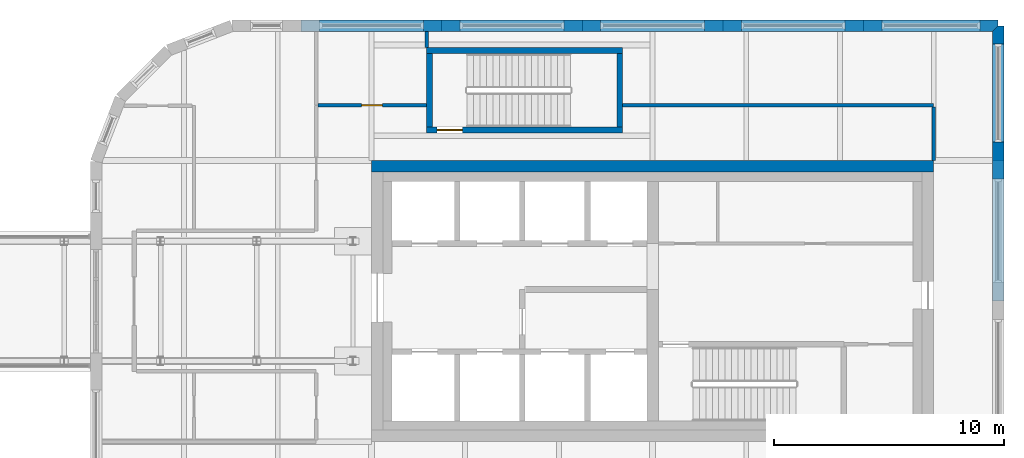
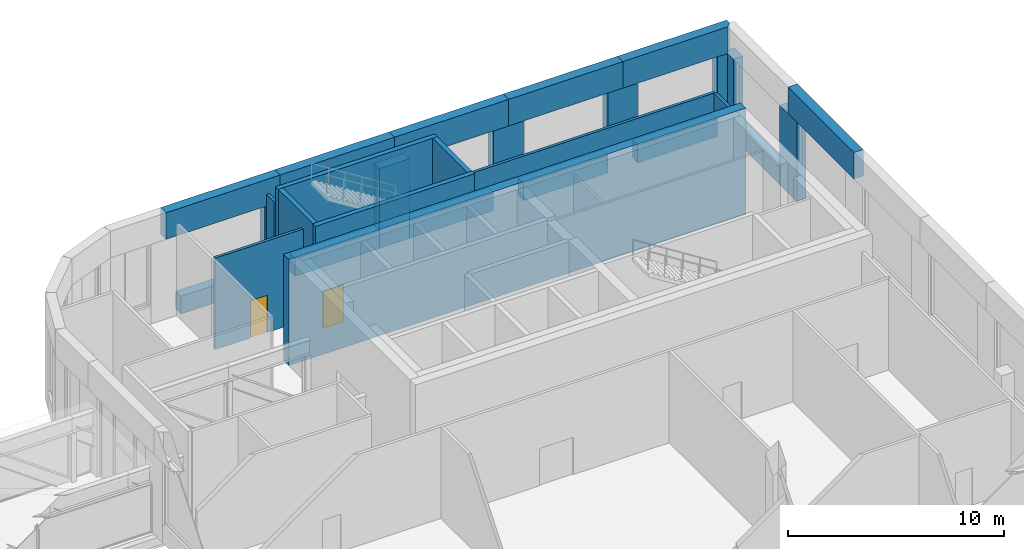
# One storey, part 30 of 36: 28 walls, 2 doors, 2 openings.
"""IFC4 building model written with IfcOpenShell, lengths in metres."""

from ifc_helpers import new_model, si_unit, direction, frame, frame_2d, origin, place, context, subcontext, project, spatial, polyline, rectangle, outline, extrude, faceted_brep, source, transform, mapped, material, layer, layer_set, type_object, element, fill, save


model = new_model("IFC4")

# Units and contexts
model_context = context("Model", 3, precision=1e-05, world=origin(), true_north=direction((0.0, 1.0)))
body_context = subcontext(model_context, "Body", "Model", "MODEL_VIEW")
ifc_project = project(units=[si_unit("LENGTHUNIT", "METRE"), si_unit("AREAUNIT", "SQUARE_METRE"), si_unit("VOLUMEUNIT", "CUBIC_METRE"), si_unit("PLANEANGLEUNIT", "RADIAN"), si_unit("MASSUNIT", "GRAM", prefix="KILO")], contexts=[model_context])

# Site, building, storey
site_placement = place(None, origin())
site = spatial("IfcSite", under=ifc_project, at=site_placement, CompositionType="ELEMENT")
building_placement = place(site_placement, origin())
building = spatial("IfcBuilding", under=site, at=building_placement, Name="Tessera Gate Towers", CompositionType="ELEMENT")
storey_placement = place(building_placement, frame((0.0, 0.0, 106.60009765625)))
storey = spatial("IfcBuildingStorey", under=building, at=storey_placement, Name="L26", CompositionType="ELEMENT", Elevation=106.60009765625)

# Wall, opening, door
ifc_material_1 = material(Name="Concrete C40/50", Category="concrete")
ifc_layer_1 = layer(ifc_material_1, 0.25)
ifc_layer_set_1 = layer_set([ifc_layer_1], Name="CORE ENCLOSURE WALL 250")
wall_type_1 = type_object("IfcWallType", Name="CORE ENCLOSURE WALL 250", PredefinedType="SOLIDWALL", material=ifc_layer_set_1)
wall_1_placement = place(storey_placement, frame((108.5, 50.125, 0.0), z_axis=(0.0, 0.0, 1.0), x_axis=(-1.0, 0.0, 0.0)))
wall_1 = element("IfcWall", 1, at=wall_1_placement, inside=storey, type_object=wall_type_1, Name="L26 ST7 enclosure wall", PredefinedType="SOLIDWALL", context=body_context, shape_type="SweptSolid", body=[
    extrude(rectangle(XDim=8.5, YDim=0.25, at=frame_2d((4.25, 0.0))), origin(), (0.0, 0.0, 1.0), 6.0),
])
shared_shape_1 = source(origin(), body_context, "Body", "SweptSolid", [
    extrude(rectangle(XDim=1.10009765625, YDim=2.10009765625, at=frame_2d((0.550048828125, 1.050048828125))), frame((0.0, 0.135009765625, 0.0), z_axis=(0.0, -1.0, 0.0), x_axis=(1.0, 0.0, 0.0)), (0.0, 0.0, 1.0), 0.27001953125),
])
opening_1_placement = place(wall_1_placement, frame((6.949951171875, 0.0, 0.0)))
opening_1 = element("IfcOpeningElement", 2, at=opening_1_placement, cuts=wall_1, Name="Opening SD-ST7-1", PredefinedType="OPENING", context=body_context, shape_type="MappedRepresentation", body=[
    mapped(shared_shape_1, transform((0.0, 0.0, 0.0), scale=1.0)),
])
ifc_material_2 = material(Name="Hollow steel fire door", Category="steel")
door_type_1 = type_object("IfcDoorType", Name="CORE DOOR SD1100 1100x2100", OperationType="NOTDEFINED", PredefinedType="DOOR", material=ifc_material_2)
shared_shape_2 = source(origin(), body_context, "Body", "SweptSolid", [
    extrude(rectangle(XDim=1.10009765625, YDim=2.10009765625, at=frame_2d((0.550048828125, 1.050048828125))), frame((0.0, 0.02490234375, 0.0), z_axis=(0.0, -1.0, 0.0), x_axis=(1.0, 0.0, 0.0)), (0.0, 0.0, 1.0), 0.050048828125),
])
door_1_placement = place(opening_1_placement, origin())
door_1 = element("IfcDoor", 3, at=door_1_placement, inside=storey, type_object=door_type_1, Name="Stair door", OperationType="SINGLE_SWING_RIGHT", OverallHeight=2.10009765625, OverallWidth=1.10009765625, PredefinedType="DOOR", context=body_context, shape_type="MappedRepresentation", body=[
    mapped(shared_shape_2, transform((0.0, 0.0, 0.0), scale=1.0)),
])
fill(opening_1, door_1)

# Walls
wall_2_placement = place(storey_placement, frame((100.125, 50.25, 0.0), z_axis=(0.0, 0.0, 1.0), x_axis=(0.0, 1.0, 0.0)))
element("IfcWall", 4, at=wall_2_placement, inside=storey, type_object=wall_type_1, Name="L26 ST7 enclosure wall", PredefinedType="SOLIDWALL", context=body_context, shape_type="SweptSolid", body=[
    extrude(rectangle(XDim=3.199951171875, YDim=0.25, at=frame_2d((1.60009765625, 0.0))), origin(), (0.0, 0.0, 1.0), 6.0),
])
wall_3_placement = place(storey_placement, frame((100.0, 53.574951171875, 0.0), z_axis=(0.0, 0.0, 1.0), x_axis=(1.0, 0.0, 0.0)))
element("IfcWall", 5, at=wall_3_placement, inside=storey, type_object=wall_type_1, Name="L26 ST7 enclosure wall", PredefinedType="SOLIDWALL", context=body_context, shape_type="SweptSolid", body=[
    extrude(rectangle(XDim=8.5, YDim=0.25, at=frame_2d((4.25, 0.0))), origin(), (0.0, 0.0, 1.0), 6.0),
])
wall_4_placement = place(storey_placement, frame((108.375, 53.449951171875, 0.0), z_axis=(0.0, 0.0, 1.0), x_axis=(0.0, -1.0, 0.0)))
element("IfcWall", 6, at=wall_4_placement, inside=storey, type_object=wall_type_1, Name="L26 ST7 enclosure wall", PredefinedType="SOLIDWALL", context=body_context, shape_type="SweptSolid", body=[
    extrude(rectangle(XDim=3.199951171875, YDim=0.25, at=frame_2d((1.60009765625, 0.0))), origin(), (0.0, 0.0, 1.0), 6.0),
])
ifc_material_3 = material(Name="Concrete C50/60", Category="concrete")
ifc_layer_2 = layer(ifc_material_3, 0.5)
ifc_layer_set_2 = layer_set([ifc_layer_2], Name="CORE SHEAR WALL 500 C50/60")
wall_type_2 = type_object("IfcWallType", Name="CORE SHEAR WALL 500 C50/60", PredefinedType="SHEAR", material=ifc_layer_set_2)
wall_5_placement = place(storey_placement, frame((97.60009765625, 48.550048828125, 0.0), z_axis=(0.0, 0.0, 1.0), x_axis=(1.0, 0.0, 0.0)))
element("IfcWall", 7, at=wall_5_placement, inside=storey, type_object=wall_type_2, Name="Core wall N L26", PredefinedType="SHEAR", context=body_context, shape_type="SweptSolid", body=[
    extrude(rectangle(XDim=24.39990234375, YDim=0.5, at=frame_2d((12.199951171875, 0.0))), origin(), (0.0, 0.0, 1.0), 6.0),
])
ifc_material_4 = material(Name="Gypsum board on steel studs, mineral wool", Category="steel")
ifc_layer_3 = layer(ifc_material_4, 0.14990234375)
ifc_layer_set_3 = layer_set([ifc_layer_3], Name="CORRIDOR WALL 150")
wall_type_3 = type_object("IfcWallType", Name="CORRIDOR WALL 150", PredefinedType="PARTITIONING", material=ifc_layer_set_3)
wall_6_placement = place(storey_placement, frame((122.0, 48.800048828125, 0.0), z_axis=(0.0, 0.0, 1.0), x_axis=(0.0, 1.0, 0.0)))
element("IfcWall", 8, at=wall_6_placement, inside=storey, type_object=wall_type_3, Name="T2-L26-PW-025", PredefinedType="PARTITIONING", context=body_context, shape_type="SweptSolid", body=[
    extrude(rectangle(XDim=2.323974609375, YDim=0.14990234375, at=frame_2d((1.162109375, 0.0))), origin(), (0.0, 0.0, 1.0), 5.1669921875),
])

# Wall, opening, door
wall_7_placement = place(storey_placement, frame((95.27587890625, 51.199951171875, 0.0), z_axis=(0.0, 0.0, 1.0), x_axis=(1.0, 0.0, 0.0)))
wall_7 = element("IfcWall", 9, at=wall_7_placement, inside=storey, type_object=wall_type_3, Name="T2-L26-PW-028", PredefinedType="PARTITIONING", context=body_context, shape_type="SweptSolid", body=[
    extrude(rectangle(XDim=4.72412109375, YDim=0.14990234375, at=frame_2d((2.362060546875, 0.0))), origin(), (0.0, 0.0, 1.0), 5.1669921875),
])
shared_shape_3 = source(origin(), body_context, "Body", "SweptSolid", [
    extrude(rectangle(XDim=0.89990234375, YDim=2.10009765625, at=frame_2d((0.449951171875, 1.050048828125))), frame((0.0, 0.0849609375, 0.0), z_axis=(0.0, -1.0, 0.0), x_axis=(1.0, 0.0, 0.0)), (0.0, 0.0, 1.0), 0.169921875),
])
opening_2_placement = place(wall_7_placement, frame((1.89990234375, 0.0, 0.0)))
opening_2 = element("IfcOpeningElement", 10, at=opening_2_placement, cuts=wall_7, Name="Opening D890FD60-B11-01", PredefinedType="OPENING", context=body_context, shape_type="MappedRepresentation", body=[
    mapped(shared_shape_3, transform((0.0, 0.0, 0.0), scale=1.0)),
])
ifc_material_5 = material(Name="Timber door leaf in steel frame", Category="steel")
door_type_2 = type_object("IfcDoorType", Name="CORRIDOR DOOR 900 FD60", OperationType="NOTDEFINED", PredefinedType="DOOR", material=ifc_material_5)
shared_shape_4 = source(origin(), body_context, "Body", "SweptSolid", [
    extrude(rectangle(XDim=0.89990234375, YDim=2.10009765625, at=frame_2d((0.449951171875, 1.050048828125))), frame((0.0, 0.02490234375, 0.0), z_axis=(0.0, -1.0, 0.0), x_axis=(1.0, 0.0, 0.0)), (0.0, 0.0, 1.0), 0.050048828125),
])
door_2_placement = place(opening_2_placement, origin())
door_2 = element("IfcDoor", 11, at=door_2_placement, inside=storey, type_object=door_type_2, Name="T2-L26-PD-005", OperationType="SINGLE_SWING_LEFT", OverallHeight=2.10009765625, OverallWidth=0.89990234375, PredefinedType="DOOR", context=body_context, shape_type="MappedRepresentation", body=[
    mapped(shared_shape_4, transform((0.0, 0.0, 0.0), scale=1.0)),
])
fill(opening_2, door_2)

# Walls
wall_8_placement = place(storey_placement, frame((108.5, 51.199951171875, 0.0), z_axis=(0.0, 0.0, 1.0), x_axis=(1.0, 0.0, 0.0)))
element("IfcWall", 12, at=wall_8_placement, inside=storey, type_object=wall_type_3, Name="T2-L26-PW-029", PredefinedType="PARTITIONING", context=body_context, shape_type="SweptSolid", body=[
    extrude(rectangle(XDim=13.5, YDim=0.14990234375, at=frame_2d((6.75, 0.0))), origin(), (0.0, 0.0, 1.0), 5.1669921875),
])
ifc_material_6 = material(Name="Gypsum board on steel studs, mineral wool", Category="steel")
ifc_layer_4 = layer(ifc_material_6, 0.14990234375)
ifc_layer_set_4 = layer_set([ifc_layer_4], Name="TENANCY WALL 150")
wall_type_4 = type_object("IfcWallType", Name="TENANCY WALL 150", PredefinedType="PARTITIONING", material=ifc_layer_set_4)
wall_9_placement = place(storey_placement, frame((100.0, 53.699951171875, 0.0), z_axis=(0.0, 0.0, 1.0), x_axis=(0.0, 1.0, 0.0)))
element("IfcWall", 13, at=wall_9_placement, inside=storey, type_object=wall_type_4, Name="T2-L26-PW-030", PredefinedType="PARTITIONING", context=body_context, shape_type="SweptSolid", body=[
    extrude(rectangle(XDim=0.699951171875, YDim=0.14990234375, at=frame_2d((0.35009765625, 0.0))), origin(), (0.0, 0.0, 1.0), 5.1669921875),
])
ifc_material_7 = material(Name="Precast concrete C60/75 white", Category="concrete")
ifc_layer_5 = layer(ifc_material_7, 0.5)
ifc_layer_set_5 = layer_set([ifc_layer_5], Name="RB1 ring band panel")
wall_type_5 = type_object("IfcWallType", Name="RB1 ring band panel", PredefinedType="SOLIDWALL", material=ifc_layer_set_5)
shared_shape_5 = source(origin(), body_context, "Body", "Brep", [
    faceted_brep([(0.0, -0.25, 0.0), (1.599853515625, -0.25, 0.0), (1.599853515625, -0.25, 4.5), (0.0, -0.25, 4.5), (0.0, 0.25, 4.5), (1.599853515625, 0.25, 4.5), (1.599853515625, 0.25, 0.0), (0.0, 0.25, 0.0)], [[[0, 1, 2, 3]], [[4, 5, 6, 7]], [[7, 6, 1, 0]], [[5, 4, 3, 2]], [[4, 7, 0, 3]], [[1, 6, 5, 2]]]),
])
for number, where, z_axis, x_axis, name in (
    (14, (113.64990234375, 54.64990234375, 0.0), (0.0, 0.0, 1.0), (-1.0, 0.0, 0.0), "Ring band panel T2 RB1-0063"),
    (15, (101.449951171875, 54.64990234375, 0.0), (0.0, 0.0, 1.0), (-1.0, 0.0, 0.0), "Ring band panel T2 RB1-0065"),
):
    element("IfcWall", number, at=place(storey_placement, frame(where, z_axis=z_axis, x_axis=x_axis)), inside=storey, type_object=wall_type_5, Name=name, PredefinedType="SOLIDWALL", context=body_context, shape_type="MappedRepresentation", body=[
        mapped(shared_shape_5, transform((0.0, 0.0, 0.0), scale=1.0)),
    ])
shared_shape_6 = source(origin(), body_context, "Body", "SweptSolid", [
    extrude(outline(polyline([(0.0, 0.0), (1.60009765625, 0.0), (1.60009765625, 4.5), (0.0, 4.5), (0.0, 0.0)])), frame((0.0, 0.25, 0.0), z_axis=(0.0, -1.0, 0.0), x_axis=(1.0, 0.0, 0.0)), (0.0, 0.0, 1.0), 0.5),
])
for number, where, z_axis, x_axis, name in (
    (16, (124.800048828125, 48.0, 0.0), (0.0, 0.0, 1.0), (0.0, 1.0, 0.0), "Ring band panel T2 RB1-0047"),
    (17, (119.75, 54.64990234375, 0.0), (0.0, 0.0, 1.0), (-1.0, 0.0, 0.0), "Ring band panel T2 RB1-0062"),
    (18, (107.550048828125, 54.64990234375, 0.0), (0.0, 0.0, 1.0), (-1.0, 0.0, 0.0), "Ring band panel T2 RB1-0064"),
):
    element("IfcWall", number, at=place(storey_placement, frame(where, z_axis=z_axis, x_axis=x_axis)), inside=storey, type_object=wall_type_5, Name=name, PredefinedType="SOLIDWALL", context=body_context, shape_type="MappedRepresentation", body=[
        mapped(shared_shape_6, transform((0.0, 0.0, 0.0), scale=1.0)),
    ])
shared_shape_7 = source(origin(), body_context, "Body", "SweptSolid", [
    extrude(outline(polyline([(0.0, 0.0), (4.5, 0.0), (4.5, 1.0), (0.0, 1.0), (0.0, 0.0)])), frame((0.0, 0.25, 0.0), z_axis=(0.0, -1.0, 0.0), x_axis=(1.0, 0.0, 0.0)), (0.0, 0.0, 1.0), 0.5),
])
for number, where, z_axis, x_axis, name in (
    (19, (118.14990234375, 54.64990234375, 0.0), (0.0, 0.0, 1.0), (-1.0, 0.0, 0.0), "Ring band panel T2 RB1-0070"),
    (20, (112.050048828125, 54.64990234375, 0.0), (0.0, 0.0, 1.0), (-1.0, 0.0, 0.0), "Ring band panel T2 RB1-0072"),
    (21, (105.949951171875, 54.64990234375, 0.0), (0.0, 0.0, 1.0), (-1.0, 0.0, 0.0), "Ring band panel T2 RB1-0074"),
    (22, (99.85009765625, 54.64990234375, 0.0), (0.0, 0.0, 1.0), (-1.0, 0.0, 0.0), "Ring band panel T2 RB1-0076"),
):
    element("IfcWall", number, at=place(storey_placement, frame(where, z_axis=z_axis, x_axis=x_axis)), inside=storey, type_object=wall_type_5, Name=name, PredefinedType="SOLIDWALL", context=body_context, shape_type="MappedRepresentation", body=[
        mapped(shared_shape_7, transform((0.0, 0.0, 0.0), scale=1.0)),
    ])
shared_shape_8 = source(origin(), body_context, "Body", "Brep", [
    faceted_brep([(0.0, -0.25, 0.0), (6.099853515625, -0.25, 0.0), (6.099853515625, -0.25, 1.5), (0.0, -0.25, 1.5), (0.0, 0.25, 1.5), (6.099853515625, 0.25, 1.5), (6.099853515625, 0.25, 0.0), (0.0, 0.25, 0.0)], [[[0, 1, 2, 3]], [[4, 5, 6, 7]], [[7, 6, 1, 0]], [[5, 4, 3, 2]], [[4, 7, 0, 3]], [[1, 6, 5, 2]]]),
])
for number, where, z_axis, x_axis, name in (
    (23, (118.949951171875, 54.64990234375, 4.5), (0.0, 0.0, 1.0), (-1.0, 0.0, 0.0), "Ring band panel T2 RB1-0071"),
    (24, (100.64990234375, 54.64990234375, 4.5), (0.0, 0.0, 1.0), (-1.0, 0.0, 0.0), "Ring band panel T2 RB1-0077"),
):
    element("IfcWall", number, at=place(storey_placement, frame(where, z_axis=z_axis, x_axis=x_axis)), inside=storey, type_object=wall_type_5, Name=name, PredefinedType="SOLIDWALL", context=body_context, shape_type="MappedRepresentation", body=[
        mapped(shared_shape_8, transform((0.0, 0.0, 0.0), scale=1.0)),
    ])
shared_shape_9 = source(origin(), body_context, "Body", "SweptSolid", [
    extrude(outline(polyline([(0.0, 0.0), (6.10009765625, 0.0), (6.10009765625, 1.5), (0.0, 1.5), (0.0, 0.0)])), frame((0.0, 0.25, 0.0), z_axis=(0.0, -1.0, 0.0), x_axis=(1.0, 0.0, 0.0)), (0.0, 0.0, 1.0), 0.5),
])
for number, where, z_axis, x_axis, name in (
    (25, (124.800048828125, 42.699951171875, 4.5), (0.0, 0.0, 1.0), (0.0, 1.0, 0.0), "Ring band panel T2 RB1-0058"),
    (26, (112.85009765625, 54.64990234375, 4.5), (0.0, 0.0, 1.0), (-1.0, 0.0, 0.0), "Ring band panel T2 RB1-0073"),
    (27, (106.75, 54.64990234375, 4.5), (0.0, 0.0, 1.0), (-1.0, 0.0, 0.0), "Ring band panel T2 RB1-0075"),
):
    element("IfcWall", number, at=place(storey_placement, frame(where, z_axis=z_axis, x_axis=x_axis)), inside=storey, type_object=wall_type_5, Name=name, PredefinedType="SOLIDWALL", context=body_context, shape_type="MappedRepresentation", body=[
        mapped(shared_shape_9, transform((0.0, 0.0, 0.0), scale=1.0)),
    ])
shared_shape_10 = source(origin(), body_context, "Body", "Brep", [
    faceted_brep([(0.0, -0.25, 0.0), (0.800048828125, -0.25, 0.0), (0.800048828125, -0.25, 4.5), (0.0, -0.25, 4.5), (0.0, 0.25, 4.5), (0.550048828125, 0.25, 4.5), (0.550048828125, 0.25, 0.0), (0.0, 0.25, 0.0), (0.800048828125, 0.0, 0.0), (0.800048828125, 0.0, 4.5)], [[[0, 1, 2, 3]], [[4, 5, 6, 7]], [[7, 6, 8, 1, 0]], [[9, 2, 1, 8]], [[5, 4, 3, 2, 9]], [[4, 7, 0, 3]], [[8, 6, 5, 9]]]),
])
wall_10_placement = place(storey_placement, frame((124.800048828125, 53.85009765625, 0.0), z_axis=(0.0, 0.0, 1.0), x_axis=(0.0, 1.0, 0.0)))
element("IfcWall", 28, at=wall_10_placement, inside=storey, type_object=wall_type_5, Name="Ring band panel T2 RB1-0048", PredefinedType="SOLIDWALL", context=body_context, shape_type="MappedRepresentation", body=[
    mapped(shared_shape_10, transform((0.0, 0.0, 0.0), scale=1.0)),
])
shared_shape_11 = source(origin(), body_context, "Body", "Brep", [
    faceted_brep([(0.0, -0.25, 0.0), (0.800048828125, -0.25, 0.0), (0.800048828125, -0.25, 4.5), (0.0, -0.25, 4.5), (0.25, 0.25, 4.5), (0.800048828125, 0.25, 4.5), (0.800048828125, 0.25, 0.0), (0.25, 0.25, 0.0), (0.0, 0.0, 0.0), (0.0, 0.0, 4.5)], [[[0, 1, 2, 3]], [[4, 5, 6, 7]], [[7, 6, 1, 0, 8]], [[5, 4, 9, 3, 2]], [[8, 0, 3, 9]], [[7, 8, 9, 4]], [[1, 6, 5, 2]]]),
])
wall_11_placement = place(storey_placement, frame((124.800048828125, 54.64990234375, 0.0), z_axis=(0.0, 0.0, 1.0), x_axis=(-1.0, 0.0, 0.0)))
element("IfcWall", 29, at=wall_11_placement, inside=storey, type_object=wall_type_5, Name="Ring band panel T2 RB1-0061", PredefinedType="SOLIDWALL", context=body_context, shape_type="MappedRepresentation", body=[
    mapped(shared_shape_11, transform((0.0, 0.0, 0.0), scale=1.0)),
])
shared_shape_12 = source(origin(), body_context, "Body", "SweptSolid", [
    extrude(outline(polyline([(0.0, 0.0), (4.25, 0.0), (4.25, 1.0), (0.0, 1.0), (0.0, 0.0)])), frame((0.0, 0.25, 0.0), z_axis=(0.0, -1.0, 0.0), x_axis=(1.0, 0.0, 0.0)), (0.0, 0.0, 1.0), 0.5),
])
for number, where, z_axis, x_axis, name in (
    (30, (124.800048828125, 49.60009765625, 0.0), (0.0, 0.0, 1.0), (0.0, 1.0, 0.0), "Ring band panel T2 RB1-0059"),
    (31, (124.0, 54.64990234375, 0.0), (0.0, 0.0, 1.0), (-1.0, 0.0, 0.0), "Ring band panel T2 RB1-0068"),
):
    element("IfcWall", number, at=place(storey_placement, frame(where, z_axis=z_axis, x_axis=x_axis)), inside=storey, type_object=wall_type_5, Name=name, PredefinedType="SOLIDWALL", context=body_context, shape_type="MappedRepresentation", body=[
        mapped(shared_shape_12, transform((0.0, 0.0, 0.0), scale=1.0)),
    ])
shared_shape_13 = source(origin(), body_context, "Body", "Brep", [
    faceted_brep([(0.0, -0.25, 0.0), (5.85009765625, -0.25, 0.0), (5.85009765625, -0.25, 1.5), (0.0, -0.25, 1.5), (0.25, 0.25, 1.5), (5.85009765625, 0.25, 1.5), (5.85009765625, 0.25, 0.0), (0.25, 0.25, 0.0), (0.0, 0.0, 0.0), (0.0, 0.0, 1.5)], [[[0, 1, 2, 3]], [[4, 5, 6, 7]], [[7, 6, 1, 0, 8]], [[5, 4, 9, 3, 2]], [[8, 0, 3, 9]], [[7, 8, 9, 4]], [[1, 6, 5, 2]]]),
])
wall_12_placement = place(storey_placement, frame((124.800048828125, 54.64990234375, 4.5), z_axis=(0.0, 0.0, 1.0), x_axis=(-1.0, 0.0, 0.0)))
element("IfcWall", 32, at=wall_12_placement, inside=storey, type_object=wall_type_5, Name="Ring band panel T2 RB1-0069", PredefinedType="SOLIDWALL", context=body_context, shape_type="MappedRepresentation", body=[
    mapped(shared_shape_13, transform((0.0, 0.0, 0.0), scale=1.0)),
])

save(model, "model.ifc")
